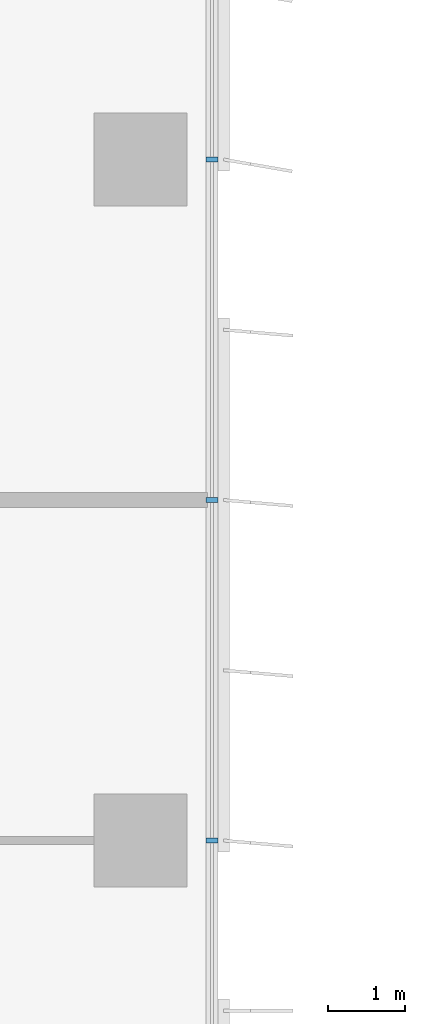
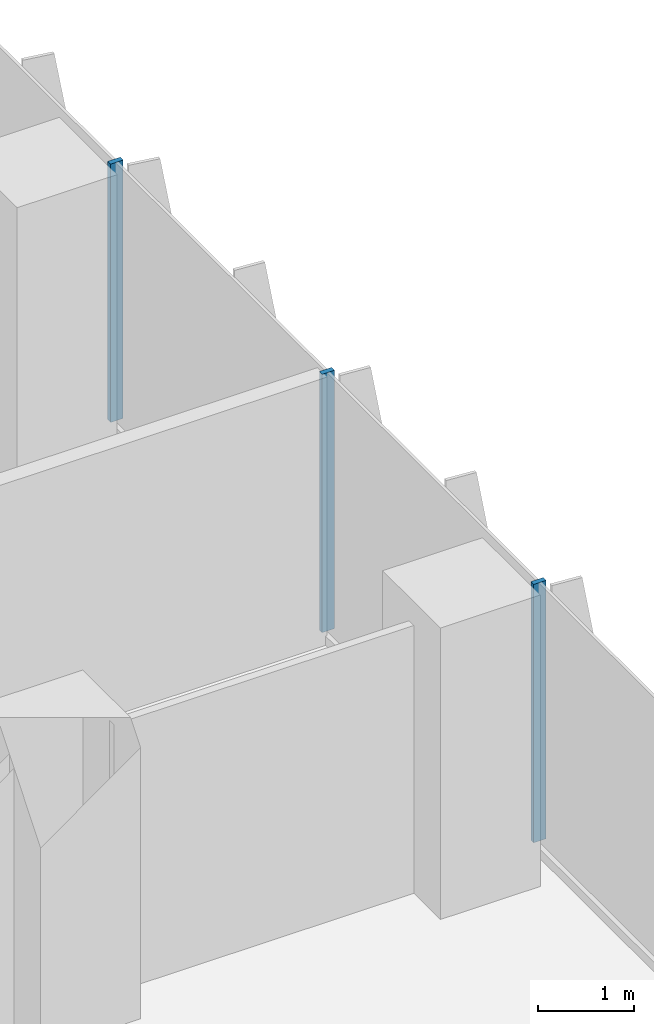
# One storey, part 7 of 22: 3 members, 1 element without a shape of its own.
"""IFC4 building model written with IfcOpenShell, lengths in metres."""

import ifcopenshell
import ifcopenshell.guid

model = None  # the IFC model being written
_history = None  # IfcOwnerHistory: only IFC2X3 demands one
_inside = {}  # id of a spatial element -> (the spatial element, [elements in it])
_under = {}  # id of a project, library or spatial element -> (it, [spatial elements below it])
_declared = {}  # id of a project -> (the project, [libraries it declares])
_typed = {}  # id of a type object -> (the type object, [elements of that type])
_made_of = {}  # id of a material, layer set ... -> (it, [elements and type objects made of it])


def new_model(schema):
    """Start an empty IFC model of exactly this schema.

    Asked for "IFC4X3", IfcOpenShell would pick the latest addendum, in which some entities
    have other attributes; the version numbers below select the first issue.
    IFC2X3 requires an IfcOwnerHistory on every rooted entity: one is made here for all.
    """
    global model, _history
    if schema == "IFC4X3":
        model = ifcopenshell.file(schema_version=(4, 3, 0, 0))
    else:
        model = ifcopenshell.file(schema=schema)
    _inside.clear()
    _under.clear()
    _declared.clear()
    _typed.clear()
    _made_of.clear()
    _history = None
    if model.schema == "IFC2X3":
        org = make("IfcOrganization", Name="unknown")
        user = make(
            "IfcPersonAndOrganization",
            ThePerson=make("IfcPerson", FamilyName="unknown"),
            TheOrganization=org,
        )
        app = make(
            "IfcApplication",
            ApplicationDeveloper=org,
            Version="unknown",
            ApplicationFullName="unknown",
            ApplicationIdentifier="unknown",
        )
        _history = make(
            "IfcOwnerHistory",
            OwningUser=user,
            OwningApplication=app,
            ChangeAction="ADDED",
            CreationDate=0,
        )
    return model


def make(cls, **values):
    """One entity of the class cls with the attributes given. An attribute that is None is left unset."""
    return model.create_entity(
        cls, **{name: value for name, value in values.items() if value is not None}
    )


def rooted(cls, **values):
    """An entity with a GlobalId (a new one), such as an element, a storey or a relation."""
    return make(cls, GlobalId=ifcopenshell.guid.new(), OwnerHistory=_history, **values)


def si_unit(unit_type, name, prefix=None):
    """IfcSIUnit, for example si_unit("LENGTHUNIT", "METRE", prefix="MILLI")."""
    return make("IfcSIUnit", UnitType=unit_type, Prefix=prefix, Name=name)


def assignment(units):
    """IfcUnitAssignment: the units of a project."""
    return None if units is None else make("IfcUnitAssignment", Units=units)


def point(xyz):
    """IfcCartesianPoint."""
    return None if xyz is None else make("IfcCartesianPoint", Coordinates=xyz)


def direction(xyz):
    """IfcDirection."""
    return None if xyz is None else make("IfcDirection", DirectionRatios=xyz)


def frame(location, z_axis=None, x_axis=None):
    """IfcAxis2Placement3D, a coordinate frame: its origin and axes. An axis left out is left unset."""
    return make(
        "IfcAxis2Placement3D",
        Location=point(location),
        Axis=direction(z_axis),
        RefDirection=direction(x_axis),
    )


def frame_2d(location, x_axis=None):
    """IfcAxis2Placement2D, a coordinate frame in the plane: its origin and x axis."""
    return make(
        "IfcAxis2Placement2D", Location=point(location), RefDirection=direction(x_axis)
    )


def origin():
    """The frame at (0, 0, 0) with its axes left unset."""
    return frame((0.0, 0.0, 0.0))


def origin_2d():
    """The frame at (0, 0) in the plane with its x axis left unset."""
    return frame_2d((0.0, 0.0))


def place(relative_to, where):
    """IfcLocalPlacement: puts the frame where relative to a parent placement (None: the world)."""
    return make(
        "IfcLocalPlacement", PlacementRelTo=relative_to, RelativePlacement=where
    )


def context(
    kind, dimensions, precision=None, world=None, true_north=None, identifier=None
):
    """IfcGeometricRepresentationContext, for example the 3D "Model" context."""
    return make(
        "IfcGeometricRepresentationContext",
        ContextIdentifier=identifier,
        ContextType=kind,
        CoordinateSpaceDimension=dimensions,
        Precision=precision,
        WorldCoordinateSystem=world,
        TrueNorth=true_north,
    )


def subcontext(parent, identifier, kind, view, scale=None):
    """IfcGeometricRepresentationSubContext, for example "Body" below "Model"."""
    return make(
        "IfcGeometricRepresentationSubContext",
        ContextIdentifier=identifier,
        ContextType=kind,
        ParentContext=parent,
        TargetScale=scale,
        TargetView=view,
    )


def project(units=None, contexts=None):
    """IfcProject with its units and contexts."""
    return rooted(
        "IfcProject",
        Name="project",
        RepresentationContexts=contexts,
        UnitsInContext=assignment(units),
    )


def spatial(cls, under=None, at=None, **own):
    """A site, building, storey or space (cls), placed at a placement, below another one or the project."""
    s = rooted(cls, ObjectPlacement=at, **own)
    if under is not None:
        _under.setdefault(under.id(), (under, []))[1].append(s)
    return s


def profile(cls, at=None, kind="AREA", **sizes):
    """A parametric profile (cls). Its sizes go by their IFC names, for example OverallWidth=200.0."""
    return make(cls, ProfileType=kind, Position=at, **sizes)


def rectangle(**sizes):
    """IfcRectangleProfileDef."""
    return profile("IfcRectangleProfileDef", **sizes)


def extrude(swept, where, along, depth):
    """IfcExtrudedAreaSolid: the profile swept, set in the frame where, extruded along a direction by depth."""
    return make(
        "IfcExtrudedAreaSolid",
        SweptArea=swept,
        Position=where,
        ExtrudedDirection=direction(along),
        Depth=depth,
    )


def shape(context_of_items, identifier, shape_type, items):
    """IfcShapeRepresentation: the items that make up one representation, for example the "Body"."""
    return make(
        "IfcShapeRepresentation",
        ContextOfItems=context_of_items,
        RepresentationIdentifier=identifier,
        RepresentationType=shape_type,
        Items=items,
    )


def source(mapping_origin, context_of_items, identifier, shape_type, items):
    """IfcRepresentationMap: a shape defined once, which mapped items show again and again."""
    return make(
        "IfcRepresentationMap",
        MappingOrigin=mapping_origin,
        MappedRepresentation=shape(context_of_items, identifier, shape_type, items),
    )


def transform(
    local_origin,
    x_axis=None,
    y_axis=None,
    z_axis=None,
    scale=None,
    scale2=None,
    scale3=None,
    uniform=True,
):
    """IfcCartesianTransformationOperator3D, or its non-uniform kind. x_axis, y_axis, z_axis: its Axis1, 2, 3."""
    if uniform:
        return make(
            "IfcCartesianTransformationOperator3D",
            Axis1=direction(x_axis),
            Axis2=direction(y_axis),
            LocalOrigin=point(local_origin),
            Scale=scale,
            Axis3=direction(z_axis),
        )
    return make(
        "IfcCartesianTransformationOperator3DnonUniform",
        Axis1=direction(x_axis),
        Axis2=direction(y_axis),
        LocalOrigin=point(local_origin),
        Scale=scale,
        Axis3=direction(z_axis),
        Scale2=scale2,
        Scale3=scale3,
    )


def mapped(mapping_source, mapping_target):
    """IfcMappedItem: shows the shape of a source again, moved by a transform."""
    return make(
        "IfcMappedItem", MappingSource=mapping_source, MappingTarget=mapping_target
    )


def material(Name=None, Category=None):
    """IfcMaterial."""
    return make("IfcMaterial", Name=Name, Category=Category)


def material_profile(
    of_material, cross_section, Name=None, Category=None, Priority=None
):
    """IfcMaterialProfile: a cross section and its material."""
    return make(
        "IfcMaterialProfile",
        Name=Name,
        Material=of_material,
        Profile=cross_section,
        Priority=Priority,
        Category=Category,
    )


def profile_set(profiles, Name=None, composite=None):
    """IfcMaterialProfileSet."""
    return make(
        "IfcMaterialProfileSet",
        Name=Name,
        MaterialProfiles=profiles,
        CompositeProfile=composite,
    )


def made_of(thing, what):
    """Note that an element or type object is made of a material, layer set ...; save() writes the relation."""
    if what is not None:
        _made_of.setdefault(what.id(), (what, []))[1].append(thing)
    return thing


def type_object(cls, material=None, **own):
    """A type object (cls), such as IfcWallType, which elements share."""
    return made_of(rooted(cls, **own), material)


def element(
    cls,
    number,
    at=None,
    inside=None,
    cuts=None,
    type_object=None,
    material=None,
    context=None,
    identifier="Body",
    shape_type=None,
    held_by="IfcProductDefinitionShape",
    body=None,
    shapes=None,
    **own,
):
    """One element of the class cls, such as IfcWall. Its Tag is "e" and its number.

    at: its placement. inside: the storey or other place that contains it. cuts: it is an
    opening in that element (IfcRelVoidsElement). A single representation is given by context,
    identifier, shape_type and body (its items); several are given by shapes. held_by: the class
    of the entity that holds the representations. save() writes the other relations.
    """
    e = rooted(cls, Tag="e%d" % number, ObjectPlacement=at, **own)
    if body is not None:
        shapes = [shape(context, identifier, shape_type, body)]
    if shapes is not None:
        e.Representation = make(held_by, Representations=shapes)
    if inside is not None:
        _inside.setdefault(inside.id(), (inside, []))[1].append(e)
    if cuts is not None:
        rooted(
            "IfcRelVoidsElement", RelatingBuildingElement=cuts, RelatedOpeningElement=e
        )
    if type_object is not None:
        _typed.setdefault(type_object.id(), (type_object, []))[1].append(e)
    return made_of(e, material)


def aggregate(whole, parts):
    """IfcRelAggregates: a whole, such as a stair, and the parts it consists of."""
    return rooted("IfcRelAggregates", RelatingObject=whole, RelatedObjects=parts)


def save(model, path):
    """Write the relations noted so far, then the file.

    IfcRelAggregates (storeys below a building ...), IfcRelContainedInSpatialStructure (elements
    in a storey), IfcRelDefinesByType, IfcRelAssociatesMaterial and IfcRelDeclares: one each for
    every whole, place, type object, material and project.
    """
    for whole, parts in _under.values():
        aggregate(whole, parts)
    for where, things in _inside.values():
        rooted(
            "IfcRelContainedInSpatialStructure",
            RelatedElements=things,
            RelatingStructure=where,
        )
    for kind, things in _typed.values():
        rooted("IfcRelDefinesByType", RelatedObjects=things, RelatingType=kind)
    for what, things in _made_of.values():
        rooted("IfcRelAssociatesMaterial", RelatedObjects=things, RelatingMaterial=what)
    for by, libraries in _declared.values():
        rooted("IfcRelDeclares", RelatingContext=by, RelatedDefinitions=libraries)
    model.write(path)


model = new_model("IFC4")

# Units and contexts
model_context = context("Model", 3, precision=1e-05, world=origin(), true_north=direction((0.0, 1.0)))
body_context = subcontext(model_context, "Body", "Model", "MODEL_VIEW")
ifc_project = project(units=[si_unit("LENGTHUNIT", "METRE"), si_unit("AREAUNIT", "SQUARE_METRE"), si_unit("VOLUMEUNIT", "CUBIC_METRE"), si_unit("PLANEANGLEUNIT", "RADIAN"), si_unit("MASSUNIT", "GRAM", prefix="KILO")], contexts=[model_context])

# Site, building, storey
site_placement = place(None, origin())
site = spatial("IfcSite", under=ifc_project, at=site_placement, CompositionType="ELEMENT")
building_placement = place(site_placement, origin())
building = spatial("IfcBuilding", under=site, at=building_placement, Name="Kemantara Hotel Tower", CompositionType="ELEMENT")
storey_placement = place(building_placement, frame((0.0, 0.0, 125.89990234375)))
storey = spatial("IfcBuildingStorey", under=building, at=storey_placement, Name="L30", CompositionType="ELEMENT", Elevation=125.89990234375)

# Curtain wall, members
ifc_material_1 = material(Name="Low-E tinted double insulated glass 36 mm", Category="glass")
curtain_wall_type = type_object("IfcCurtainWallType", Name="TOWER CURTAIN WALL, FRONT FACES", PredefinedType="USERDEFINED", material=ifc_material_1)
curtain_wall_placement = place(storey_placement, origin())
curtain_wall = element("IfcCurtainWall", 1, at=curtain_wall_placement, inside=storey, type_object=curtain_wall_type, Name="CW4 L30 T2-R14-1", ObjectType="TOWER CURTAIN WALL, FRONT FACES", PredefinedType="USERDEFINED")
ifc_material_2 = material(Name="Aluminium 6063-T6 bronze anodised", Category="aluminium")
ifc_material_profile = material_profile(ifc_material_2, rectangle(XDim=0.14990234375, YDim=0.06005859375, at=origin_2d()), Name="TOWER CURTAIN WALL, FRONT FACES MULLION")
ifc_profile_set = profile_set([ifc_material_profile], Name="Aluminium 6063-T6 bronze anodised")
member_type = type_object("IfcMemberType", Name="TOWER CURTAIN WALL, FRONT FACES MULLION", PredefinedType="MULLION", material=ifc_profile_set)
shared_shape = source(origin(), body_context, "Body", "SweptSolid", [
    extrude(rectangle(XDim=0.14990234375, YDim=0.06005859375, at=origin_2d()), origin(), (0.0, 0.0, 1.0), 3.280029296875),
])
member_1_placement = place(storey_placement, frame((26.72509765625, 53.800048828125, 0.1201171875), z_axis=(0.0, 0.0, 1.0), x_axis=(-1.0, 0.0, 0.0)))
member_1 = element("IfcMember", 2, at=member_1_placement, type_object=member_type, Name="CW4 mullion T2-R14-1.9", PredefinedType="MULLION", context=body_context, shape_type="MappedRepresentation", body=[
    mapped(shared_shape, transform((0.0, 0.0, 0.0))),
])
member_2_placement = place(storey_placement, frame((26.72509765625, 58.199951171875, 0.1201171875), z_axis=(0.0, 0.0, 1.0), x_axis=(-1.0, 0.0, 0.0)))
member_2 = element("IfcMember", 3, at=member_2_placement, type_object=member_type, Name="CW4 mullion T2-R14-1.10", PredefinedType="MULLION", context=body_context, shape_type="MappedRepresentation", body=[
    mapped(shared_shape, transform((0.0, 0.0, 0.0))),
])
member_3_placement = place(storey_placement, frame((26.72509765625, 62.60009765625, 0.1201171875), z_axis=(0.0, 0.0, 1.0), x_axis=(-1.0, 0.0, 0.0)))
member_3 = element("IfcMember", 4, at=member_3_placement, type_object=member_type, Name="CW4 mullion T2-R14-1.11", PredefinedType="MULLION", context=body_context, shape_type="MappedRepresentation", body=[
    mapped(shared_shape, transform((0.0, 0.0, 0.0))),
])
aggregate(curtain_wall, [member_1, member_2, member_3])

save(model, "model.ifc")
